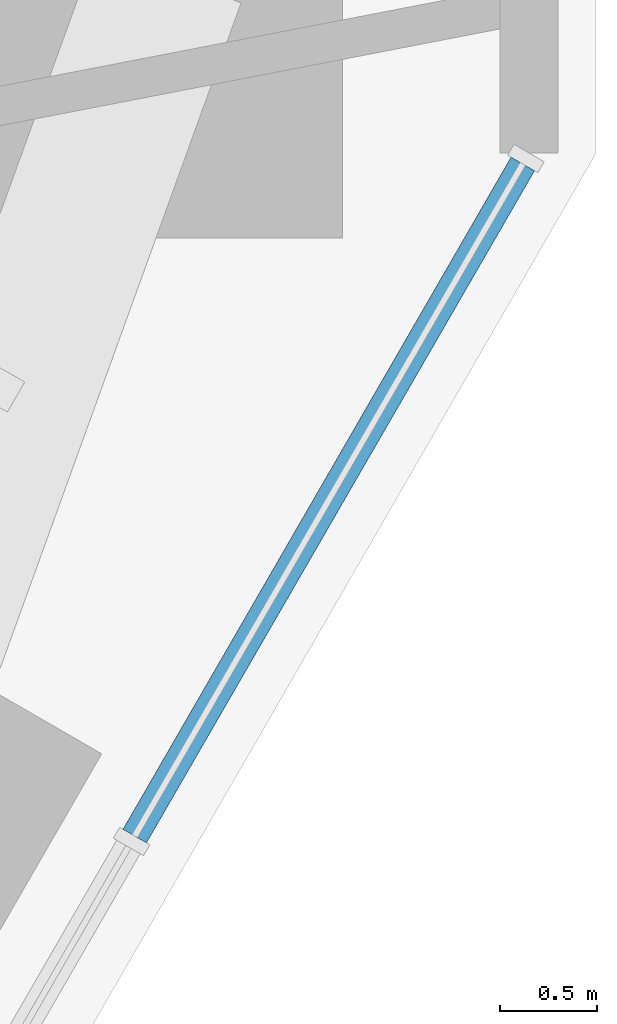
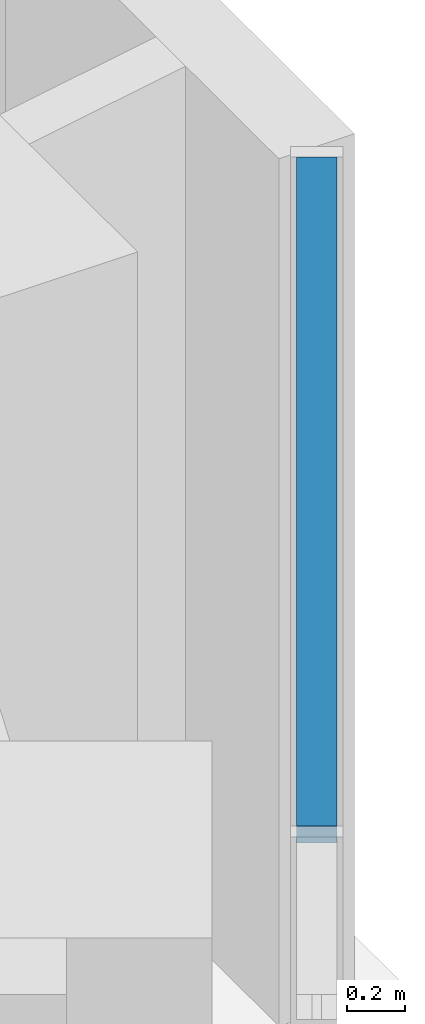
# One storey, part 6 of 17: 1 member, 1 element without a shape of its own.
"""IFC4 building model written with IfcOpenShell, lengths in metres."""

from ifc_helpers import new_model, si_unit, direction, frame, origin, origin_2d, place, context, subcontext, project, spatial, rectangle, extrude, material, material_profile, profile_set, type_object, element, aggregate, save


model = new_model("IFC4")

# Units and contexts
model_context = context("Model", 3, precision=1e-05, world=origin(), true_north=direction((0.0, 1.0)))
body_context = subcontext(model_context, "Body", "Model", "MODEL_VIEW")
ifc_project = project(units=[si_unit("LENGTHUNIT", "METRE"), si_unit("AREAUNIT", "SQUARE_METRE"), si_unit("VOLUMEUNIT", "CUBIC_METRE"), si_unit("PLANEANGLEUNIT", "RADIAN"), si_unit("MASSUNIT", "GRAM", prefix="KILO")], contexts=[model_context])

# Site, building, storey
site_placement = place(None, origin())
site = spatial("IfcSite", under=ifc_project, at=site_placement, CompositionType="ELEMENT")
building_placement = place(site_placement, origin())
building = spatial("IfcBuilding", under=site, at=building_placement, Name="Sandreach Pilgrim Tower", CompositionType="ELEMENT")
storey_placement = place(building_placement, frame((0.0, 0.0, 119.60009765625)))
storey = spatial("IfcBuildingStorey", under=building, at=storey_placement, Name="L29", CompositionType="ELEMENT", Elevation=119.60009765625)

# Curtain wall, member
ifc_material_1 = material(Name="Aluminium framed curtain wall", Category="aluminium")
curtain_wall_type = type_object("IfcCurtainWallType", Name="Hotel tower curtain wall", PredefinedType="NOTDEFINED", material=ifc_material_1)
curtain_wall_placement = place(storey_placement, origin())
curtain_wall = element("IfcCurtainWall", 1, at=curtain_wall_placement, inside=storey, type_object=curtain_wall_type, Name="CW-2 L29 SE", PredefinedType="NOTDEFINED")
ifc_material_2 = material(Name="Aluminium extrusion", Category="aluminium")
ifc_material_profile = material_profile(ifc_material_2, rectangle(XDim=0.139892578125, YDim=0.070068359375, at=origin_2d()), Name="CW-2T 140X70")
ifc_profile_set = profile_set([ifc_material_profile], Name="Aluminium extrusion")
member_type = type_object("IfcMemberType", Name="CW-2 transom", PredefinedType="USERDEFINED", material=ifc_profile_set)
member_placement = place(storey_placement, frame((28.6884765625, 4.7021484375, 3.60498046875), z_axis=(-0.500015851672, -0.866016251624, 0.0), x_axis=(0.866016251624, -0.500015851672, 0.0)))
member = element("IfcMember", 2, at=member_placement, type_object=member_type, Name="CW-2 head transom 1", ObjectType="TRANSOM", PredefinedType="USERDEFINED", context=body_context, shape_type="SweptSolid", body=[
    extrude(rectangle(XDim=0.139892578125, YDim=0.070068359375, at=origin_2d()), origin(), (0.0, 0.0, 1.0), 4.009521484375),
])
aggregate(curtain_wall, [member])

save(model, "model.ifc")
